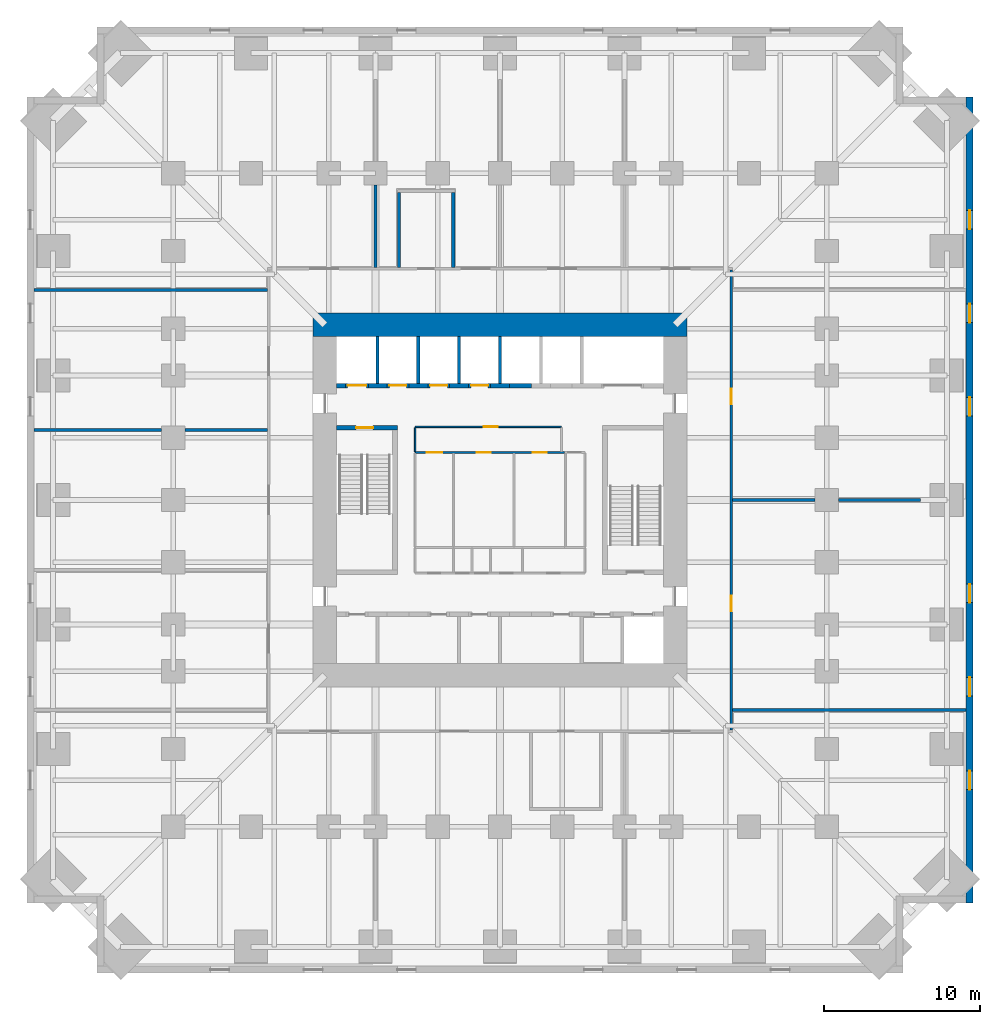
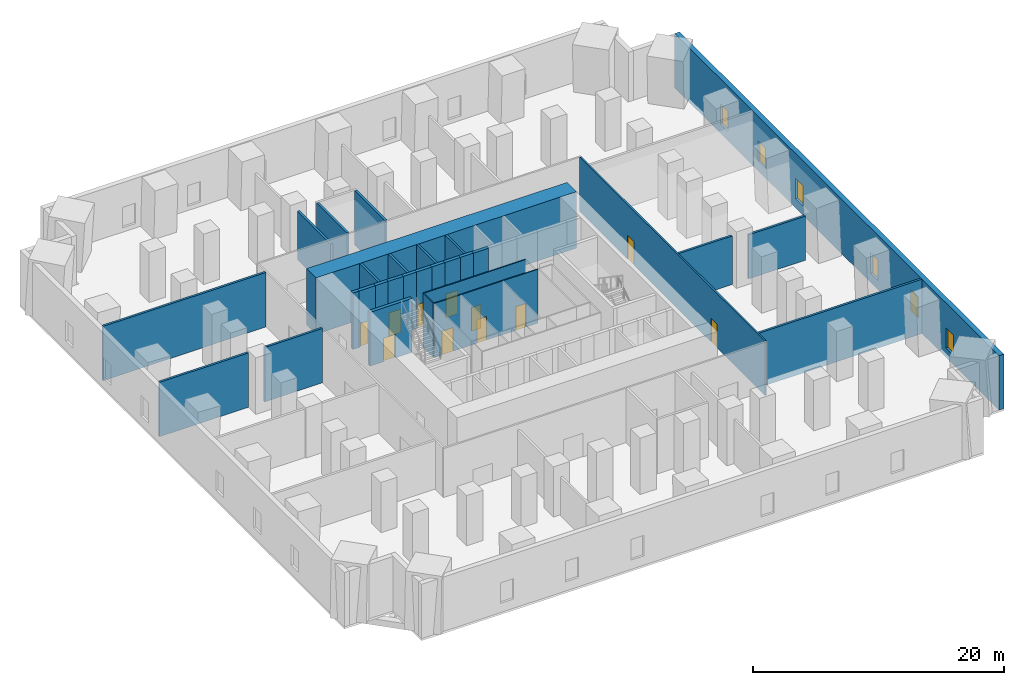
# One storey, part 5 of 8: 30 walls, 11 doors, 6 windows, 17 openings.
"""IFC4 building model written with IfcOpenShell, lengths in metres."""

from ifc_helpers import new_model, si_unit, direction, frame, frame_2d, origin, place, context, subcontext, project, spatial, rectangle, extrude, material, layer, layer_set, type_object, element, fill, save


model = new_model("IFC4")

# Units and contexts
model_context = context("Model", 3, precision=1e-05, world=origin(), true_north=direction((0.0, 1.0)))
body_context = subcontext(model_context, "Body", "Model", "MODEL_VIEW")
ifc_project = project(units=[si_unit("LENGTHUNIT", "METRE"), si_unit("AREAUNIT", "SQUARE_METRE"), si_unit("VOLUMEUNIT", "CUBIC_METRE"), si_unit("PLANEANGLEUNIT", "RADIAN"), si_unit("MASSUNIT", "GRAM", prefix="KILO")], contexts=[model_context])

# Site, building, storey
site_placement = place(None, origin())
site = spatial("IfcSite", under=ifc_project, at=site_placement, CompositionType="ELEMENT")
building_placement = place(site_placement, origin())
building = spatial("IfcBuilding", under=site, at=building_placement, Name="Peilmerk Tower", CompositionType="ELEMENT")
storey_placement = place(building_placement, frame((0.0, 0.0, 54.0)))
storey = spatial("IfcBuildingStorey", under=building, at=storey_placement, Name="L10", CompositionType="ELEMENT", Elevation=54.0)

# Wall, openings, windows
ifc_material_1 = material(Name="Precast concrete C45/55, board-marked finish", Category="concrete")
ifc_layer_1 = layer(ifc_material_1, 0.449951171875)
ifc_layer_set_1 = layer_set([ifc_layer_1], Name="Precast concrete C45/55, board-marked finish")
wall_type_1 = type_object("IfcWallType", Name="EW1 450 precast concrete facade wall, board-marked", PredefinedType="SOLIDWALL", material=ifc_layer_set_1)
wall_1_placement = place(storey_placement, frame((30.175048828125, -25.89990234375, 0.0), z_axis=(0.0, 0.0, 1.0), x_axis=(0.0, 1.0, 0.0)))
wall_1 = element("IfcWall", 1, at=wall_1_placement, inside=storey, type_object=wall_type_1, Name="Facade wall E L10", PredefinedType="SOLIDWALL", context=body_context, shape_type="SweptSolid", body=[
    extrude(rectangle(XDim=51.7998046875, YDim=0.449951171875, at=frame_2d((25.89990234375, 0.0))), origin(), (0.0, 0.0, 1.0), 5.300048828125),
])
opening_1_placement = place(wall_1_placement, frame((7.300048828125, 0.0, 0.89990234375)))
opening_1 = element("IfcOpeningElement", 2, at=opening_1_placement, cuts=wall_1, Name="Opening W2", PredefinedType="OPENING", context=body_context, shape_type="SweptSolid", body=[
    extrude(rectangle(XDim=1.199951171875, YDim=2.0, at=frame_2d((0.60009765625, 1.0))), frame((0.0, 0.23486328125, 0.0), z_axis=(0.0, -1.0, 0.0), x_axis=(1.0, 0.0, 0.0)), (0.0, 0.0, 1.0), 0.469970703125),
])
opening_2_placement = place(wall_1_placement, frame((13.300048828125, 0.0, 0.89990234375)))
opening_2 = element("IfcOpeningElement", 3, at=opening_2_placement, cuts=wall_1, Name="Opening W2", PredefinedType="OPENING", context=body_context, shape_type="SweptSolid", body=[
    extrude(rectangle(XDim=1.199951171875, YDim=2.0, at=frame_2d((0.60009765625, 1.0))), frame((0.0, 0.23486328125, 0.0), z_axis=(0.0, -1.0, 0.0), x_axis=(1.0, 0.0, 0.0)), (0.0, 0.0, 1.0), 0.469970703125),
])
opening_3_placement = place(wall_1_placement, frame((19.300048828125, 0.0, 0.89990234375)))
opening_3 = element("IfcOpeningElement", 4, at=opening_3_placement, cuts=wall_1, Name="Opening W2", PredefinedType="OPENING", context=body_context, shape_type="SweptSolid", body=[
    extrude(rectangle(XDim=1.199951171875, YDim=2.0, at=frame_2d((0.60009765625, 1.0))), frame((0.0, 0.23486328125, 0.0), z_axis=(0.0, -1.0, 0.0), x_axis=(1.0, 0.0, 0.0)), (0.0, 0.0, 1.0), 0.469970703125),
])
opening_4_placement = place(wall_1_placement, frame((31.300048828125, 0.0, 0.89990234375)))
opening_4 = element("IfcOpeningElement", 5, at=opening_4_placement, cuts=wall_1, Name="Opening W2", PredefinedType="OPENING", context=body_context, shape_type="SweptSolid", body=[
    extrude(rectangle(XDim=1.199951171875, YDim=2.0, at=frame_2d((0.60009765625, 1.0))), frame((0.0, 0.23486328125, 0.0), z_axis=(0.0, -1.0, 0.0), x_axis=(1.0, 0.0, 0.0)), (0.0, 0.0, 1.0), 0.469970703125),
])
opening_5_placement = place(wall_1_placement, frame((37.300048828125, 0.0, 0.89990234375)))
opening_5 = element("IfcOpeningElement", 6, at=opening_5_placement, cuts=wall_1, Name="Opening W2", PredefinedType="OPENING", context=body_context, shape_type="SweptSolid", body=[
    extrude(rectangle(XDim=1.199951171875, YDim=2.0, at=frame_2d((0.60009765625, 1.0))), frame((0.0, 0.23486328125, 0.0), z_axis=(0.0, -1.0, 0.0), x_axis=(1.0, 0.0, 0.0)), (0.0, 0.0, 1.0), 0.469970703125),
])
opening_6_placement = place(wall_1_placement, frame((43.300048828125, 0.0, 0.89990234375)))
opening_6 = element("IfcOpeningElement", 7, at=opening_6_placement, cuts=wall_1, Name="Opening W2", PredefinedType="OPENING", context=body_context, shape_type="SweptSolid", body=[
    extrude(rectangle(XDim=1.199951171875, YDim=2.0, at=frame_2d((0.60009765625, 1.0))), frame((0.0, 0.23486328125, 0.0), z_axis=(0.0, -1.0, 0.0), x_axis=(1.0, 0.0, 0.0)), (0.0, 0.0, 1.0), 0.469970703125),
])
ifc_material_2 = material(Name="Aluminium frame, clear double glazing", Category="aluminium")
window_type = type_object("IfcWindowType", Name="W2 1200x2000 data hall slot window", PartitioningType="SINGLE_PANEL", PredefinedType="WINDOW", material=ifc_material_2)
window_1_placement = place(opening_1_placement, origin())
window_1 = element("IfcWindow", 8, at=window_1_placement, inside=storey, type_object=window_type, Name="Window W2 L10", OverallHeight=2.0, OverallWidth=1.199951171875, PartitioningType="SINGLE_PANEL", PredefinedType="WINDOW", context=body_context, shape_type="SweptSolid", body=[
    extrude(rectangle(XDim=1.199951171875, YDim=2.0, at=frame_2d((0.60009765625, 1.0))), frame((0.0, 0.030029296875, 0.0), z_axis=(0.0, -1.0, 0.0), x_axis=(1.0, 0.0, 0.0)), (0.0, 0.0, 1.0), 0.06005859375),
])
fill(opening_1, window_1)
window_2_placement = place(opening_2_placement, origin())
window_2 = element("IfcWindow", 9, at=window_2_placement, inside=storey, type_object=window_type, Name="Window W2 L10", OverallHeight=2.0, OverallWidth=1.199951171875, PartitioningType="SINGLE_PANEL", PredefinedType="WINDOW", context=body_context, shape_type="SweptSolid", body=[
    extrude(rectangle(XDim=1.199951171875, YDim=2.0, at=frame_2d((0.60009765625, 1.0))), frame((0.0, 0.030029296875, 0.0), z_axis=(0.0, -1.0, 0.0), x_axis=(1.0, 0.0, 0.0)), (0.0, 0.0, 1.0), 0.06005859375),
])
fill(opening_2, window_2)
window_3_placement = place(opening_3_placement, origin())
window_3 = element("IfcWindow", 10, at=window_3_placement, inside=storey, type_object=window_type, Name="Window W2 L10", OverallHeight=2.0, OverallWidth=1.199951171875, PartitioningType="SINGLE_PANEL", PredefinedType="WINDOW", context=body_context, shape_type="SweptSolid", body=[
    extrude(rectangle(XDim=1.199951171875, YDim=2.0, at=frame_2d((0.60009765625, 1.0))), frame((0.0, 0.030029296875, 0.0), z_axis=(0.0, -1.0, 0.0), x_axis=(1.0, 0.0, 0.0)), (0.0, 0.0, 1.0), 0.06005859375),
])
fill(opening_3, window_3)
window_4_placement = place(opening_4_placement, origin())
window_4 = element("IfcWindow", 11, at=window_4_placement, inside=storey, type_object=window_type, Name="Window W2 L10", OverallHeight=2.0, OverallWidth=1.199951171875, PartitioningType="SINGLE_PANEL", PredefinedType="WINDOW", context=body_context, shape_type="SweptSolid", body=[
    extrude(rectangle(XDim=1.199951171875, YDim=2.0, at=frame_2d((0.60009765625, 1.0))), frame((0.0, 0.030029296875, 0.0), z_axis=(0.0, -1.0, 0.0), x_axis=(1.0, 0.0, 0.0)), (0.0, 0.0, 1.0), 0.06005859375),
])
fill(opening_4, window_4)
window_5_placement = place(opening_5_placement, origin())
window_5 = element("IfcWindow", 12, at=window_5_placement, inside=storey, type_object=window_type, Name="Window W2 L10", OverallHeight=2.0, OverallWidth=1.199951171875, PartitioningType="SINGLE_PANEL", PredefinedType="WINDOW", context=body_context, shape_type="SweptSolid", body=[
    extrude(rectangle(XDim=1.199951171875, YDim=2.0, at=frame_2d((0.60009765625, 1.0))), frame((0.0, 0.030029296875, 0.0), z_axis=(0.0, -1.0, 0.0), x_axis=(1.0, 0.0, 0.0)), (0.0, 0.0, 1.0), 0.06005859375),
])
fill(opening_5, window_5)
window_6_placement = place(opening_6_placement, origin())
window_6 = element("IfcWindow", 13, at=window_6_placement, inside=storey, type_object=window_type, Name="Window W2 L10", OverallHeight=2.0, OverallWidth=1.199951171875, PartitioningType="SINGLE_PANEL", PredefinedType="WINDOW", context=body_context, shape_type="SweptSolid", body=[
    extrude(rectangle(XDim=1.199951171875, YDim=2.0, at=frame_2d((0.60009765625, 1.0))), frame((0.0, 0.030029296875, 0.0), z_axis=(0.0, -1.0, 0.0), x_axis=(1.0, 0.0, 0.0)), (0.0, 0.0, 1.0), 0.06005859375),
])
fill(opening_6, window_6)

# Wall, openings, doors
ifc_material_3 = material(Name="Calcium silicate block", Category="masonry")
ifc_layer_2 = layer(ifc_material_3, 0.14990234375)
ifc_layer_set_2 = layer_set([ifc_layer_2], Name="Calcium silicate block")
wall_type_2 = type_object("IfcWallType", Name="IW1 150 corridor partition, EI 60", PredefinedType="PARTITIONING", material=ifc_layer_set_2)
wall_2_placement = place(storey_placement, frame((14.85009765625, -14.77490234375, 0.0), z_axis=(0.0, 0.0, 1.0), x_axis=(0.0, 1.0, 0.0)))
wall_2 = element("IfcWall", 14, at=wall_2_placement, inside=storey, type_object=wall_type_2, Name="Corridor wall E L10", PredefinedType="PARTITIONING", context=body_context, shape_type="SweptSolid", body=[
    extrude(rectangle(XDim=29.5498046875, YDim=0.14990234375, at=frame_2d((14.77490234375, 0.0))), origin(), (0.0, 0.0, 1.0), 5.300048828125),
])
opening_7_placement = place(wall_2_placement, frame((7.625, 0.0, 0.0)))
opening_7 = element("IfcOpeningElement", 15, at=opening_7_placement, cuts=wall_2, Name="Opening D1", PredefinedType="OPENING", context=body_context, shape_type="SweptSolid", body=[
    extrude(rectangle(XDim=1.0, YDim=2.300048828125, at=frame_2d((0.5, 1.14990234375))), frame((0.0, 0.0849609375, 0.0), z_axis=(0.0, -1.0, 0.0), x_axis=(1.0, 0.0, 0.0)), (0.0, 0.0, 1.0), 0.169921875),
])
opening_8_placement = place(wall_2_placement, frame((20.925048828125, 0.0, 0.0)))
opening_8 = element("IfcOpeningElement", 16, at=opening_8_placement, cuts=wall_2, Name="Opening D1", PredefinedType="OPENING", context=body_context, shape_type="SweptSolid", body=[
    extrude(rectangle(XDim=1.0, YDim=2.300048828125, at=frame_2d((0.5, 1.14990234375))), frame((0.0, 0.0849609375, 0.0), z_axis=(0.0, -1.0, 0.0), x_axis=(1.0, 0.0, 0.0)), (0.0, 0.0, 1.0), 0.169921875),
])
ifc_material_4 = material(Name="Timber door in steel frame", Category="steel")
door_type_1 = type_object("IfcDoorType", Name="D1 1000x2300 room door, EI2 30", OperationType="SINGLE_SWING_LEFT", PredefinedType="DOOR", material=ifc_material_4)
door_1_placement = place(opening_7_placement, frame((1.0, 0.0, 0.0), z_axis=(0.0, 0.0, 1.0), x_axis=(-1.0, 0.0, 0.0)))
door_1 = element("IfcDoor", 17, at=door_1_placement, inside=storey, type_object=door_type_1, Name="Door HV switchroom L10", OperationType="SINGLE_SWING_LEFT", OverallHeight=2.300048828125, OverallWidth=1.0, PredefinedType="DOOR", context=body_context, shape_type="SweptSolid", body=[
    extrude(rectangle(XDim=1.0, YDim=2.300048828125, at=frame_2d((0.5, 1.14990234375))), frame((0.0, 0.02490234375, 0.0), z_axis=(0.0, -1.0, 0.0), x_axis=(1.0, 0.0, 0.0)), (0.0, 0.0, 1.0), 0.050048828125),
])
fill(opening_7, door_1)
door_2_placement = place(opening_8_placement, frame((1.0, 0.0, 0.0), z_axis=(0.0, 0.0, 1.0), x_axis=(-1.0, 0.0, 0.0)))
door_2 = element("IfcDoor", 18, at=door_2_placement, inside=storey, type_object=door_type_1, Name="Door LV switchboard room L10", OperationType="SINGLE_SWING_LEFT", OverallHeight=2.300048828125, OverallWidth=1.0, PredefinedType="DOOR", context=body_context, shape_type="SweptSolid", body=[
    extrude(rectangle(XDim=1.0, YDim=2.300048828125, at=frame_2d((0.5, 1.14990234375))), frame((0.0, 0.02490234375, 0.0), z_axis=(0.0, -1.0, 0.0), x_axis=(1.0, 0.0, 0.0)), (0.0, 0.0, 1.0), 0.050048828125),
])
fill(opening_8, door_2)

# Walls
ifc_layer_3 = layer(ifc_material_3, 0.199951171875)
ifc_layer_set_3 = layer_set([ifc_layer_3], Name="Calcium silicate block")
wall_type_3 = type_object("IfcWallType", Name="IW2 200 room separating wall, EI 120", PredefinedType="PARTITIONING", material=ifc_layer_set_3)
for number, where, z_axis, x_axis, name in (
    (19, (-29.949951171875, 13.5, 0.0), (0.0, 0.0, 1.0), (1.0, 0.0, 0.0), "Room separating wall NW L10"),
    (20, (29.949951171875, -13.5, 0.0), (0.0, 0.0, 1.0), (-1.0, 0.0, 0.0), "Room separating wall SE L10"),
):
    element("IfcWall", number, at=place(storey_placement, frame(where, z_axis=z_axis, x_axis=x_axis)), inside=storey, type_object=wall_type_3, Name=name, PredefinedType="PARTITIONING", context=body_context, shape_type="SweptSolid", body=[
        extrude(rectangle(XDim=15.02490234375, YDim=0.199951171875, at=frame_2d((7.512451171875, 0.0))), origin(), (0.0, 0.0, 1.0), 5.300048828125),
    ])
for number, where, z_axis, x_axis, name in (
    (21, (-8.0, 14.925048828125, 0.0), (0.0, 0.0, 1.0), (0.0, 1.0, 0.0), "Room separating wall N1 L10"),
    (22, (14.925048828125, 0.0, 0.0), (0.0, 0.0, 1.0), (1.0, 0.0, 0.0), "Room separating wall E1 L10"),
):
    element("IfcWall", number, at=place(storey_placement, frame(where, z_axis=z_axis, x_axis=x_axis)), inside=storey, type_object=wall_type_3, Name=name, PredefinedType="PARTITIONING", context=body_context, shape_type="SweptSolid", body=[
        extrude(rectangle(XDim=5.324951171875, YDim=0.199951171875, at=frame_2d((2.66259765625, 0.0))), origin(), (0.0, 0.0, 1.0), 4.73095703125),
    ])
wall_3_placement = place(storey_placement, frame((21.75, 0.0, 0.0), z_axis=(0.0, 0.0, 1.0), x_axis=(1.0, 0.0, 0.0)))
element("IfcWall", 23, at=wall_3_placement, inside=storey, type_object=wall_type_3, Name="Room separating wall E1b L10", PredefinedType="PARTITIONING", context=body_context, shape_type="SweptSolid", body=[
    extrude(rectangle(XDim=5.2626953125, YDim=0.199951171875, at=frame_2d((2.63134765625, 0.0))), origin(), (0.0, 0.0, 1.0), 4.300048828125),
])
wall_4_placement = place(storey_placement, frame((-14.925048828125, 4.5, 0.0), z_axis=(0.0, 0.0, 1.0), x_axis=(-1.0, 0.0, 0.0)))
element("IfcWall", 24, at=wall_4_placement, inside=storey, type_object=wall_type_3, Name="Room separating wall W2 L10", PredefinedType="PARTITIONING", context=body_context, shape_type="SweptSolid", body=[
    extrude(rectangle(XDim=5.324951171875, YDim=0.199951171875, at=frame_2d((2.66259765625, 0.0))), origin(), (0.0, 0.0, 1.0), 5.300048828125),
])
wall_5_placement = place(storey_placement, frame((-21.75, 4.5, 0.0), z_axis=(0.0, 0.0, 1.0), x_axis=(-1.0, 0.0, 0.0)))
element("IfcWall", 25, at=wall_5_placement, inside=storey, type_object=wall_type_3, Name="Room separating wall W2b L10", PredefinedType="PARTITIONING", context=body_context, shape_type="SweptSolid", body=[
    extrude(rectangle(XDim=8.199951171875, YDim=0.199951171875, at=frame_2d((4.10009765625, 0.0))), origin(), (0.0, 0.0, 1.0), 5.300048828125),
])
for number, where, z_axis, x_axis, name in (
    (26, (-6.5, 14.925048828125, 0.0), (0.0, 0.0, 1.0), (0.0, 1.0, 0.0), "Room separating wall Customer meeting room L10"),
    (27, (-3.0, 14.925048828125, 0.0), (0.0, 0.0, 1.0), (0.0, 1.0, 0.0), "Room separating wall Customer meeting room L10"),
):
    element("IfcWall", number, at=place(storey_placement, frame(where, z_axis=z_axis, x_axis=x_axis)), inside=storey, type_object=wall_type_3, Name=name, PredefinedType="PARTITIONING", context=body_context, shape_type="SweptSolid", body=[
        extrude(rectangle(XDim=4.824951171875, YDim=0.199951171875, at=frame_2d((2.41259765625, 0.0))), origin(), (0.0, 0.0, 1.0), 5.300048828125),
    ])

# Wall, opening, door
ifc_material_5 = material(Name="Concrete C35/45", Category="concrete")
ifc_layer_4 = layer(ifc_material_5, 0.300048828125)
ifc_layer_set_4 = layer_set([ifc_layer_4], Name="Concrete C35/45")
wall_type_4 = type_object("IfcWallType", Name="IW3 300 concrete stair enclosure wall, EI 120", PredefinedType="SOLIDWALL", material=ifc_layer_set_4)
wall_6_placement = place(storey_placement, frame((-10.5, 4.64990234375, 0.0), z_axis=(0.0, 0.0, 1.0), x_axis=(1.0, 0.0, 0.0)))
wall_6 = element("IfcWall", 28, at=wall_6_placement, inside=storey, type_object=wall_type_4, Name="Stair 1 enclosure L10", PredefinedType="SOLIDWALL", context=body_context, shape_type="SweptSolid", body=[
    extrude(rectangle(XDim=3.89990234375, YDim=0.300048828125, at=frame_2d((1.949951171875, 0.0))), origin(), (0.0, 0.0, 1.0), 5.25),
])
opening_9_placement = place(wall_6_placement, frame((1.25, 0.0, 0.0)))
opening_9 = element("IfcOpeningElement", 29, at=opening_9_placement, cuts=wall_6, Name="Opening D4", PredefinedType="OPENING", context=body_context, shape_type="SweptSolid", body=[
    extrude(rectangle(XDim=1.10009765625, YDim=2.300048828125, at=frame_2d((0.550048828125, 1.14990234375))), frame((0.0, 0.159912109375, 0.0), z_axis=(0.0, -1.0, 0.0), x_axis=(1.0, 0.0, 0.0)), (0.0, 0.0, 1.0), 0.320068359375),
])
ifc_material_6 = material(Name="Steel door in steel frame", Category="steel")
door_type_2 = type_object("IfcDoorType", Name="D4 1100x2300 stair door, EI2 60", OperationType="SINGLE_SWING_RIGHT", PredefinedType="DOOR", material=ifc_material_6)
door_3_placement = place(opening_9_placement, frame((1.10009765625, 0.0, 0.0), z_axis=(0.0, 0.0, 1.0), x_axis=(-1.0, 0.0, 0.0)))
door_3 = element("IfcDoor", 30, at=door_3_placement, inside=storey, type_object=door_type_2, Name="Stair 1 door L10", OperationType="SINGLE_SWING_RIGHT", OverallHeight=2.300048828125, OverallWidth=1.10009765625, PredefinedType="DOOR", context=body_context, shape_type="SweptSolid", body=[
    extrude(rectangle(XDim=1.10009765625, YDim=2.300048828125, at=frame_2d((0.550048828125, 1.14990234375))), frame((0.0, 0.02490234375, 0.0), z_axis=(0.0, -1.0, 0.0), x_axis=(1.0, 0.0, 0.0)), (0.0, 0.0, 1.0), 0.050048828125),
])
fill(opening_9, door_3)

# Wall, openings, doors
ifc_material_7 = material(Name="Plasterboard on steel studs", Category="steel")
ifc_layer_5 = layer(ifc_material_7, 0.10009765625)
ifc_layer_set_5 = layer_set([ifc_layer_5], Name="Plasterboard on steel studs")
wall_type_5 = type_object("IfcWallType", Name="IW4 100 WC partition", PredefinedType="PARTITIONING", material=ifc_layer_set_5)
wall_7_placement = place(storey_placement, frame((-5.449951171875, 3.050048828125, 0.0), z_axis=(0.0, 0.0, 1.0), x_axis=(1.0, 0.0, 0.0)))
wall_7 = element("IfcWall", 31, at=wall_7_placement, inside=storey, type_object=wall_type_5, Name="WC wall L10", PredefinedType="PARTITIONING", context=body_context, shape_type="SweptSolid", body=[
    extrude(rectangle(XDim=9.599853515625, YDim=0.10009765625, at=frame_2d((4.7998046875, 0.0))), origin(), (0.0, 0.0, 1.0), 5.25),
])
opening_10_placement = place(wall_7_placement, frame((0.75, 0.0, 0.0)))
opening_10 = element("IfcOpeningElement", 32, at=opening_10_placement, cuts=wall_7, Name="Opening D6", PredefinedType="OPENING", context=body_context, shape_type="SweptSolid", body=[
    extrude(rectangle(XDim=1.0, YDim=2.300048828125, at=frame_2d((0.5, 1.14990234375))), frame((0.0, 0.06005859375, 0.0), z_axis=(0.0, -1.0, 0.0), x_axis=(1.0, 0.0, 0.0)), (0.0, 0.0, 1.0), 0.1201171875),
])
opening_11_placement = place(wall_7_placement, frame((3.949951171875, 0.0, 0.0)))
opening_11 = element("IfcOpeningElement", 33, at=opening_11_placement, cuts=wall_7, Name="Opening D5", PredefinedType="OPENING", context=body_context, shape_type="SweptSolid", body=[
    extrude(rectangle(XDim=0.89990234375, YDim=2.300048828125, at=frame_2d((0.449951171875, 1.14990234375))), frame((0.0, 0.06005859375, 0.0), z_axis=(0.0, -1.0, 0.0), x_axis=(1.0, 0.0, 0.0)), (0.0, 0.0, 1.0), 0.1201171875),
])
opening_12_placement = place(wall_7_placement, frame((7.550048828125, 0.0, 0.0)))
opening_12 = element("IfcOpeningElement", 34, at=opening_12_placement, cuts=wall_7, Name="Opening D5", PredefinedType="OPENING", context=body_context, shape_type="SweptSolid", body=[
    extrude(rectangle(XDim=0.89990234375, YDim=2.300048828125, at=frame_2d((0.449951171875, 1.14990234375))), frame((0.0, 0.06005859375, 0.0), z_axis=(0.0, -1.0, 0.0), x_axis=(1.0, 0.0, 0.0)), (0.0, 0.0, 1.0), 0.1201171875),
])
door_type_3 = type_object("IfcDoorType", Name="D5 900x2300 WC door", OperationType="SINGLE_SWING_LEFT", PredefinedType="DOOR", material=ifc_material_4)
door_4_placement = place(opening_11_placement, frame((0.89990234375, 0.0, 0.0), z_axis=(0.0, 0.0, 1.0), x_axis=(-1.0, 0.0, 0.0)))
door_4 = element("IfcDoor", 35, at=door_4_placement, inside=storey, type_object=door_type_3, Name="Female toilets door L10", OperationType="SINGLE_SWING_LEFT", OverallHeight=2.300048828125, OverallWidth=0.89990234375, PredefinedType="DOOR", context=body_context, shape_type="SweptSolid", body=[
    extrude(rectangle(XDim=0.89990234375, YDim=2.300048828125, at=frame_2d((0.449951171875, 1.14990234375))), frame((0.0, 0.02490234375, 0.0), z_axis=(0.0, -1.0, 0.0), x_axis=(1.0, 0.0, 0.0)), (0.0, 0.0, 1.0), 0.050048828125),
])
fill(opening_11, door_4)
door_5_placement = place(opening_12_placement, frame((0.89990234375, 0.0, 0.0), z_axis=(0.0, 0.0, 1.0), x_axis=(-1.0, 0.0, 0.0)))
door_5 = element("IfcDoor", 36, at=door_5_placement, inside=storey, type_object=door_type_3, Name="Male toilets door L10", OperationType="SINGLE_SWING_LEFT", OverallHeight=2.300048828125, OverallWidth=0.89990234375, PredefinedType="DOOR", context=body_context, shape_type="SweptSolid", body=[
    extrude(rectangle(XDim=0.89990234375, YDim=2.300048828125, at=frame_2d((0.449951171875, 1.14990234375))), frame((0.0, 0.02490234375, 0.0), z_axis=(0.0, -1.0, 0.0), x_axis=(1.0, 0.0, 0.0)), (0.0, 0.0, 1.0), 0.050048828125),
])
fill(opening_12, door_5)
door_type_4 = type_object("IfcDoorType", Name="D6 1000x2300 accessible WC door", OperationType="SLIDING_TO_LEFT", PredefinedType="DOOR", material=ifc_material_4)
door_6_placement = place(opening_10_placement, frame((1.0, 0.0, 0.0), z_axis=(0.0, 0.0, 1.0), x_axis=(-1.0, 0.0, 0.0)))
door_6 = element("IfcDoor", 37, at=door_6_placement, inside=storey, type_object=door_type_4, Name="Accessible WC door L10", OperationType="SLIDING_TO_LEFT", OverallHeight=2.300048828125, OverallWidth=1.0, PredefinedType="DOOR", context=body_context, shape_type="SweptSolid", body=[
    extrude(rectangle(XDim=1.0, YDim=2.300048828125, at=frame_2d((0.5, 1.14990234375))), frame((0.0, 0.02490234375, 0.0), z_axis=(0.0, -1.0, 0.0), x_axis=(1.0, 0.0, 0.0)), (0.0, 0.0, 1.0), 0.050048828125),
])
fill(opening_10, door_6)

# Wall, opening, door
ifc_material_8 = material(Name="Fire-resisting plasterboard on steel studs", Category="steel")
ifc_layer_6 = layer(ifc_material_8, 0.10009765625)
ifc_layer_set_6 = layer_set([ifc_layer_6], Name="Fire-resisting plasterboard on steel studs")
wall_type_6 = type_object("IfcWallType", Name="IW9 100 WC lobby wall, EI 30", PredefinedType="PARTITIONING", material=ifc_layer_set_6)
wall_8_placement = place(storey_placement, frame((-5.449951171875, 4.699951171875, 0.0), z_axis=(0.0, 0.0, 1.0), x_axis=(1.0, 0.0, 0.0)))
wall_8 = element("IfcWall", 38, at=wall_8_placement, inside=storey, type_object=wall_type_6, Name="WC lobby wall L10", PredefinedType="PARTITIONING", context=body_context, shape_type="SweptSolid", body=[
    extrude(rectangle(XDim=9.39990234375, YDim=0.10009765625, at=frame_2d((4.699951171875, 0.0))), origin(), (0.0, 0.0, 1.0), 5.25),
])
opening_13_placement = place(wall_8_placement, frame((4.39990234375, 0.0, 0.0)))
opening_13 = element("IfcOpeningElement", 39, at=opening_13_placement, cuts=wall_8, Name="Opening D11", PredefinedType="OPENING", context=body_context, shape_type="SweptSolid", body=[
    extrude(rectangle(XDim=0.89990234375, YDim=2.300048828125, at=frame_2d((0.449951171875, 1.14990234375))), frame((0.0, 0.06005859375, 0.0), z_axis=(0.0, -1.0, 0.0), x_axis=(1.0, 0.0, 0.0)), (0.0, 0.0, 1.0), 0.1201171875),
])
door_type_5 = type_object("IfcDoorType", Name="D11 900x2300 WC lobby door, EI2 30", OperationType="SINGLE_SWING_LEFT", PredefinedType="DOOR", material=ifc_material_4)
door_7_placement = place(opening_13_placement, frame((0.89990234375, 0.0, 0.0), z_axis=(0.0, 0.0, 1.0), x_axis=(-1.0, 0.0, 0.0)))
door_7 = element("IfcDoor", 40, at=door_7_placement, inside=storey, type_object=door_type_5, Name="WC lobby door L10", OperationType="SINGLE_SWING_LEFT", OverallHeight=2.300048828125, OverallWidth=0.89990234375, PredefinedType="DOOR", context=body_context, shape_type="SweptSolid", body=[
    extrude(rectangle(XDim=0.89990234375, YDim=2.300048828125, at=frame_2d((0.449951171875, 1.14990234375))), frame((0.0, 0.02490234375, 0.0), z_axis=(0.0, -1.0, 0.0), x_axis=(1.0, 0.0, 0.0)), (0.0, 0.0, 1.0), 0.050048828125),
])
fill(opening_13, door_7)

# Walls
wall_9_placement = place(storey_placement, frame((-5.449951171875, 3.10009765625, 0.0), z_axis=(0.0, 0.0, 1.0), x_axis=(0.0, 1.0, 0.0)))
element("IfcWall", 41, at=wall_9_placement, inside=storey, type_object=wall_type_6, Name="WC lobby wall L10", PredefinedType="PARTITIONING", context=body_context, shape_type="SweptSolid", body=[
    extrude(rectangle(XDim=1.5498046875, YDim=0.10009765625, at=frame_2d((0.77490234375, 0.0))), origin(), (0.0, 0.0, 1.0), 5.25),
])
ifc_layer_7 = layer(ifc_material_3, 0.199951171875)
ifc_layer_set_7 = layer_set([ifc_layer_7], Name="Calcium silicate block")
wall_type_7 = type_object("IfcWallType", Name="SH1 200 shaft dividing wall, EI 120", PredefinedType="PARTITIONING", material=ifc_layer_set_7)
for number, where, z_axis, x_axis, name in (
    (42, (-7.875, 7.5, 0.0), (0.0, 0.0, 1.0), (0.0, 1.0, 0.0), "Shaft wall N FL1 L10"),
    (43, (-5.25, 7.5, 0.0), (0.0, 0.0, 1.0), (0.0, 1.0, 0.0), "Shaft wall N A1 L10"),
    (44, (-2.625, 7.5, 0.0), (0.0, 0.0, 1.0), (0.0, 1.0, 0.0), "Shaft wall N A2 L10"),
    (45, (0.0, 7.5, 0.0), (0.0, 0.0, 1.0), (0.0, 1.0, 0.0), "Shaft wall N A3 L10"),
):
    element("IfcWall", number, at=place(storey_placement, frame(where, z_axis=z_axis, x_axis=x_axis)), inside=storey, type_object=wall_type_7, Name=name, PredefinedType="PARTITIONING", context=body_context, shape_type="SweptSolid", body=[
        extrude(rectangle(XDim=3.0, YDim=0.199951171875, at=frame_2d((1.5, 0.0))), origin(), (0.0, 0.0, 1.0), 5.5),
    ])

# Wall, opening, door
ifc_layer_8 = layer(ifc_material_3, 0.300048828125)
ifc_layer_set_8 = layer_set([ifc_layer_8], Name="Calcium silicate block")
wall_type_8 = type_object("IfcWallType", Name="SH2 300 lift landing door panel, EI 120", PredefinedType="PARTITIONING", material=ifc_layer_set_8)
wall_10_placement = place(storey_placement, frame((-9.9375, 7.35009765625, 0.0), z_axis=(0.0, 0.0, 1.0), x_axis=(1.0, 0.0, 0.0)))
wall_10 = element("IfcWall", 46, at=wall_10_placement, inside=storey, type_object=wall_type_8, Name="Lift door panel N FL1 L10", PredefinedType="PARTITIONING", context=body_context, shape_type="SweptSolid", body=[
    extrude(rectangle(XDim=1.5, YDim=0.300048828125, at=frame_2d((0.75, 0.0))), origin(), (0.0, 0.0, 1.0), 5.5),
])
opening_14_placement = place(wall_10_placement, frame((0.14990234375, 0.0, 0.0)))
opening_14 = element("IfcOpeningElement", 47, at=opening_14_placement, cuts=wall_10, Name="Opening LD2", PredefinedType="OPENING", context=body_context, shape_type="SweptSolid", body=[
    extrude(rectangle(XDim=1.199951171875, YDim=2.300048828125, at=frame_2d((0.60009765625, 1.14990234375))), frame((0.0, 0.159912109375, 0.0), z_axis=(0.0, -1.0, 0.0), x_axis=(1.0, 0.0, 0.0)), (0.0, 0.0, 1.0), 0.320068359375),
])
ifc_material_9 = material(Name="Stainless steel landing door", Category="steel")
door_type_6 = type_object("IfcDoorType", Name="LD2 1200x2300 lift landing door, sliding, EI2 60", OperationType="SLIDING_TO_LEFT", PredefinedType="DOOR", material=ifc_material_9)
door_8_placement = place(opening_14_placement, frame((1.199951171875, 0.0, 0.0), z_axis=(0.0, 0.0, 1.0), x_axis=(-1.0, 0.0, 0.0)))
door_8 = element("IfcDoor", 48, at=door_8_placement, inside=storey, type_object=door_type_6, Name="Lift landing door FL1 L10", OperationType="SLIDING_TO_LEFT", OverallHeight=2.300048828125, OverallWidth=1.199951171875, PredefinedType="DOOR", context=body_context, shape_type="SweptSolid", body=[
    extrude(rectangle(XDim=1.199951171875, YDim=2.300048828125, at=frame_2d((0.60009765625, 1.14990234375))), frame((0.0, 0.02490234375, 0.0), z_axis=(0.0, -1.0, 0.0), x_axis=(1.0, 0.0, 0.0)), (0.0, 0.0, 1.0), 0.050048828125),
])
fill(opening_14, door_8)

wall_11_placement = place(storey_placement, frame((-7.262451171875, 7.35009765625, 0.0), z_axis=(0.0, 0.0, 1.0), x_axis=(1.0, 0.0, 0.0)))
wall_11 = element("IfcWall", 49, at=wall_11_placement, inside=storey, type_object=wall_type_8, Name="Lift door panel N A1 L10", PredefinedType="PARTITIONING", context=body_context, shape_type="SweptSolid", body=[
    extrude(rectangle(XDim=1.39990234375, YDim=0.300048828125, at=frame_2d((0.699951171875, 0.0))), origin(), (0.0, 0.0, 1.0), 5.5),
])
opening_15_placement = place(wall_11_placement, frame((0.14990234375, 0.0, 0.0)))
opening_15 = element("IfcOpeningElement", 50, at=opening_15_placement, cuts=wall_11, Name="Opening LD1", PredefinedType="OPENING", context=body_context, shape_type="SweptSolid", body=[
    extrude(rectangle(XDim=1.10009765625, YDim=2.300048828125, at=frame_2d((0.550048828125, 1.14990234375))), frame((0.0, 0.159912109375, 0.0), z_axis=(0.0, -1.0, 0.0), x_axis=(1.0, 0.0, 0.0)), (0.0, 0.0, 1.0), 0.320068359375),
])
door_type_7 = type_object("IfcDoorType", Name="LD1 1100x2300 lift landing door, sliding, EI2 60", OperationType="SLIDING_TO_LEFT", PredefinedType="DOOR", material=ifc_material_9)
door_9_placement = place(opening_15_placement, frame((1.10009765625, 0.0, 0.0), z_axis=(0.0, 0.0, 1.0), x_axis=(-1.0, 0.0, 0.0)))
door_9 = element("IfcDoor", 51, at=door_9_placement, inside=storey, type_object=door_type_7, Name="Lift landing door A1 L10", OperationType="SLIDING_TO_LEFT", OverallHeight=2.300048828125, OverallWidth=1.10009765625, PredefinedType="DOOR", context=body_context, shape_type="SweptSolid", body=[
    extrude(rectangle(XDim=1.10009765625, YDim=2.300048828125, at=frame_2d((0.550048828125, 1.14990234375))), frame((0.0, 0.02490234375, 0.0), z_axis=(0.0, -1.0, 0.0), x_axis=(1.0, 0.0, 0.0)), (0.0, 0.0, 1.0), 0.050048828125),
])
fill(opening_15, door_9)

wall_12_placement = place(storey_placement, frame((-4.637451171875, 7.35009765625, 0.0), z_axis=(0.0, 0.0, 1.0), x_axis=(1.0, 0.0, 0.0)))
wall_12 = element("IfcWall", 52, at=wall_12_placement, inside=storey, type_object=wall_type_8, Name="Lift door panel N A2 L10", PredefinedType="PARTITIONING", context=body_context, shape_type="SweptSolid", body=[
    extrude(rectangle(XDim=1.39990234375, YDim=0.300048828125, at=frame_2d((0.699951171875, 0.0))), origin(), (0.0, 0.0, 1.0), 5.5),
])
opening_16_placement = place(wall_12_placement, frame((0.14990234375, 0.0, 0.0)))
opening_16 = element("IfcOpeningElement", 53, at=opening_16_placement, cuts=wall_12, Name="Opening LD1", PredefinedType="OPENING", context=body_context, shape_type="SweptSolid", body=[
    extrude(rectangle(XDim=1.10009765625, YDim=2.300048828125, at=frame_2d((0.550048828125, 1.14990234375))), frame((0.0, 0.159912109375, 0.0), z_axis=(0.0, -1.0, 0.0), x_axis=(1.0, 0.0, 0.0)), (0.0, 0.0, 1.0), 0.320068359375),
])
door_10_placement = place(opening_16_placement, frame((1.10009765625, 0.0, 0.0), z_axis=(0.0, 0.0, 1.0), x_axis=(-1.0, 0.0, 0.0)))
door_10 = element("IfcDoor", 54, at=door_10_placement, inside=storey, type_object=door_type_7, Name="Lift landing door A2 L10", OperationType="SLIDING_TO_LEFT", OverallHeight=2.300048828125, OverallWidth=1.10009765625, PredefinedType="DOOR", context=body_context, shape_type="SweptSolid", body=[
    extrude(rectangle(XDim=1.10009765625, YDim=2.300048828125, at=frame_2d((0.550048828125, 1.14990234375))), frame((0.0, 0.02490234375, 0.0), z_axis=(0.0, -1.0, 0.0), x_axis=(1.0, 0.0, 0.0)), (0.0, 0.0, 1.0), 0.050048828125),
])
fill(opening_16, door_10)

wall_13_placement = place(storey_placement, frame((-2.012451171875, 7.35009765625, 0.0), z_axis=(0.0, 0.0, 1.0), x_axis=(1.0, 0.0, 0.0)))
wall_13 = element("IfcWall", 55, at=wall_13_placement, inside=storey, type_object=wall_type_8, Name="Lift door panel N A3 L10", PredefinedType="PARTITIONING", context=body_context, shape_type="SweptSolid", body=[
    extrude(rectangle(XDim=1.39990234375, YDim=0.300048828125, at=frame_2d((0.699951171875, 0.0))), origin(), (0.0, 0.0, 1.0), 5.5),
])
opening_17_placement = place(wall_13_placement, frame((0.14990234375, 0.0, 0.0)))
opening_17 = element("IfcOpeningElement", 56, at=opening_17_placement, cuts=wall_13, Name="Opening LD1", PredefinedType="OPENING", context=body_context, shape_type="SweptSolid", body=[
    extrude(rectangle(XDim=1.10009765625, YDim=2.300048828125, at=frame_2d((0.550048828125, 1.14990234375))), frame((0.0, 0.159912109375, 0.0), z_axis=(0.0, -1.0, 0.0), x_axis=(1.0, 0.0, 0.0)), (0.0, 0.0, 1.0), 0.320068359375),
])
door_11_placement = place(opening_17_placement, frame((1.10009765625, 0.0, 0.0), z_axis=(0.0, 0.0, 1.0), x_axis=(-1.0, 0.0, 0.0)))
door_11 = element("IfcDoor", 57, at=door_11_placement, inside=storey, type_object=door_type_7, Name="Lift landing door A3 L10", OperationType="SLIDING_TO_LEFT", OverallHeight=2.300048828125, OverallWidth=1.10009765625, PredefinedType="DOOR", context=body_context, shape_type="SweptSolid", body=[
    extrude(rectangle(XDim=1.10009765625, YDim=2.300048828125, at=frame_2d((0.550048828125, 1.14990234375))), frame((0.0, 0.02490234375, 0.0), z_axis=(0.0, -1.0, 0.0), x_axis=(1.0, 0.0, 0.0)), (0.0, 0.0, 1.0), 0.050048828125),
])
fill(opening_17, door_11)

# Walls
wall_14_placement = place(storey_placement, frame((0.612548828125, 7.35009765625, 0.0), z_axis=(0.0, 0.0, 1.0), x_axis=(1.0, 0.0, 0.0)))
element("IfcWall", 58, at=wall_14_placement, inside=storey, type_object=wall_type_8, Name="Lift door panel N S1 L10", PredefinedType="PARTITIONING", context=body_context, shape_type="SweptSolid", body=[
    extrude(rectangle(XDim=1.39990234375, YDim=0.300048828125, at=frame_2d((0.699951171875, 0.0))), origin(), (0.0, 0.0, 1.0), 5.5),
])
ifc_material_10 = material(Name="Concrete C55/67", Category="concrete")
ifc_layer_9 = layer(ifc_material_10, 1.5)
ifc_layer_set_9 = layer_set([ifc_layer_9], Name="Concrete C55/67")
wall_type_9 = type_object("IfcWallType", Name="SW1 1500 core wall", PredefinedType="SHEAR", material=ifc_layer_set_9)
wall_15_placement = place(storey_placement, frame((-12.0, 11.25, 0.0), z_axis=(0.0, 0.0, 1.0), x_axis=(1.0, 0.0, 0.0)))
element("IfcWall", 59, at=wall_15_placement, inside=storey, type_object=wall_type_9, Name="Core wall N L10", PredefinedType="SHEAR", context=body_context, shape_type="SweptSolid", body=[
    extrude(rectangle(XDim=24.0, YDim=1.5, at=frame_2d((12.0, 0.0))), origin(), (0.0, 0.0, 1.0), 5.5),
])
ifc_layer_10 = layer(ifc_material_10, 0.300048828125)
ifc_layer_set_10 = layer_set([ifc_layer_10], Name="Concrete C55/67")
wall_type_10 = type_object("IfcWallType", Name="SW2 300 lift bank pier", PredefinedType="SHEAR", material=ifc_layer_set_10)
wall_16_placement = place(storey_placement, frame((-10.5, 7.35009765625, 0.0), z_axis=(0.0, 0.0, 1.0), x_axis=(1.0, 0.0, 0.0)))
element("IfcWall", 60, at=wall_16_placement, inside=storey, type_object=wall_type_10, Name="Lift bank pier N L10", PredefinedType="SHEAR", context=body_context, shape_type="SweptSolid", body=[
    extrude(rectangle(XDim=0.5625, YDim=0.300048828125, at=frame_2d((0.28125, 0.0))), origin(), (0.0, 0.0, 1.0), 5.5),
])
wall_17_placement = place(storey_placement, frame((-8.4375, 7.35009765625, 0.0), z_axis=(0.0, 0.0, 1.0), x_axis=(1.0, 0.0, 0.0)))
element("IfcWall", 61, at=wall_17_placement, inside=storey, type_object=wall_type_10, Name="Lift bank pier N L10", PredefinedType="SHEAR", context=body_context, shape_type="SweptSolid", body=[
    extrude(rectangle(XDim=1.175048828125, YDim=0.300048828125, at=frame_2d((0.58740234375, 0.0))), origin(), (0.0, 0.0, 1.0), 5.5),
])
for number, where, z_axis, x_axis, name in (
    (62, (-5.862548828125, 7.35009765625, 0.0), (0.0, 0.0, 1.0), (1.0, 0.0, 0.0), "Lift bank pier N L10"),
    (63, (-3.237548828125, 7.35009765625, 0.0), (0.0, 0.0, 1.0), (1.0, 0.0, 0.0), "Lift bank pier N L10"),
    (64, (-0.612548828125, 7.35009765625, 0.0), (0.0, 0.0, 1.0), (1.0, 0.0, 0.0), "Lift bank pier N L10"),
):
    element("IfcWall", number, at=place(storey_placement, frame(where, z_axis=z_axis, x_axis=x_axis)), inside=storey, type_object=wall_type_10, Name=name, PredefinedType="SHEAR", context=body_context, shape_type="SweptSolid", body=[
        extrude(rectangle(XDim=1.22509765625, YDim=0.300048828125, at=frame_2d((0.612548828125, 0.0))), origin(), (0.0, 0.0, 1.0), 5.5),
    ])

save(model, "model.ifc")
